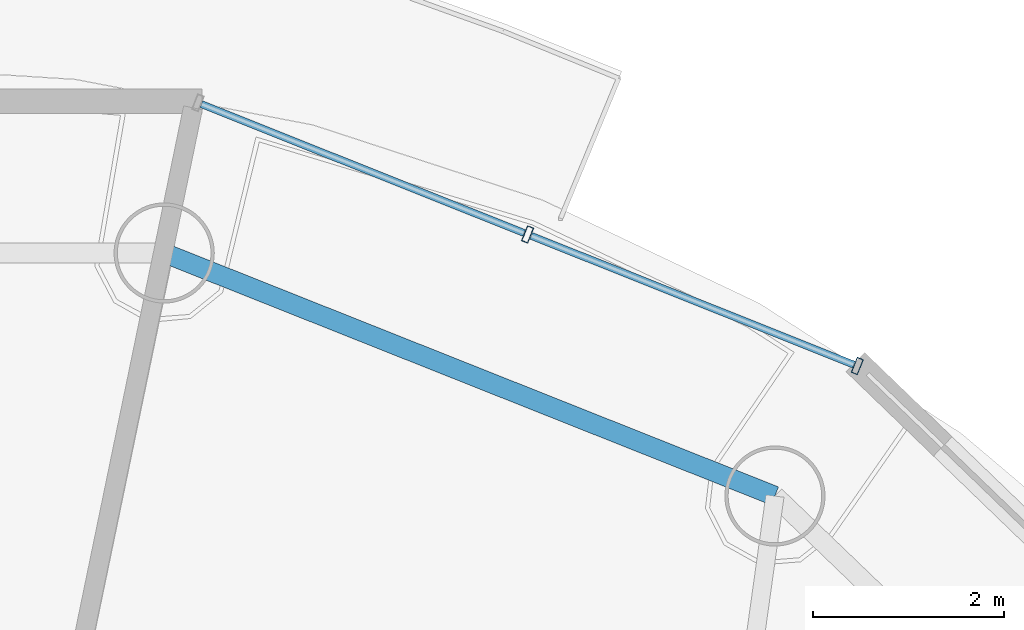
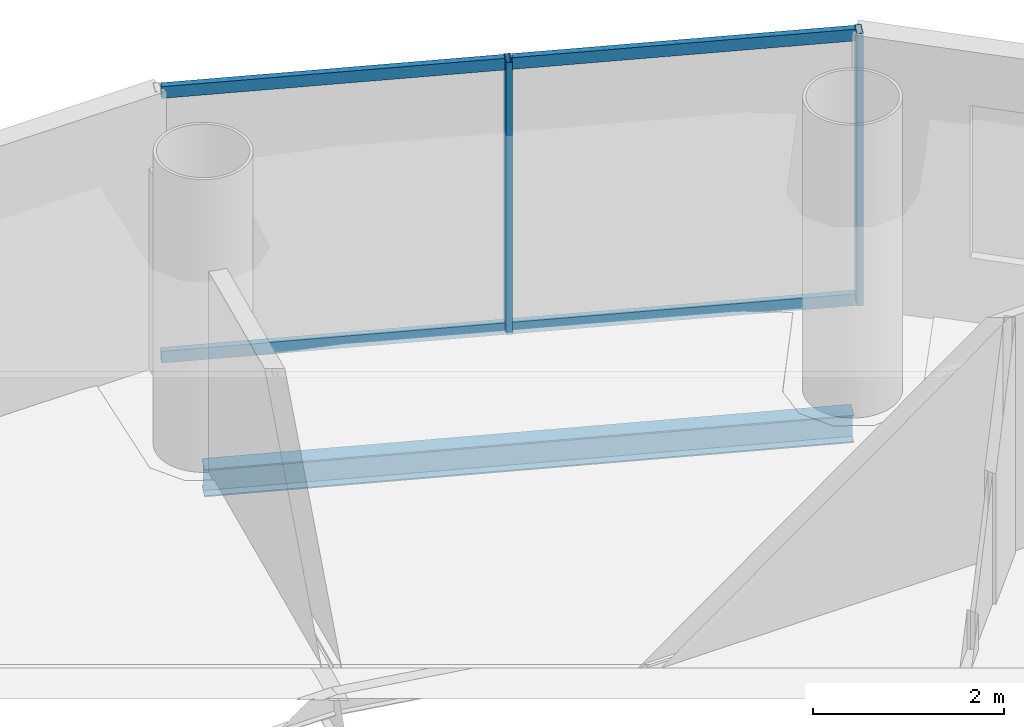
# One storey, part 12 of 21: 6 members, 1 beam, 1 element without a shape of its own.
"""IFC4 building model written with IfcOpenShell, lengths in metres."""

from ifc_helpers import new_model, si_unit, direction, frame, origin, origin_2d, place, context, subcontext, project, spatial, hollow_rectangle, i_section, extrude, source, transform, mapped, material, material_profile, profile_set, type_object, element, aggregate, save


model = new_model("IFC4")

# Units and contexts
model_context = context("Model", 3, precision=1e-05, world=origin(), true_north=direction((-0.2419218956, 0.970295726276)))
body_context = subcontext(model_context, "Body", "Model", "MODEL_VIEW")
ifc_project = project(units=[si_unit("LENGTHUNIT", "METRE"), si_unit("AREAUNIT", "SQUARE_METRE"), si_unit("VOLUMEUNIT", "CUBIC_METRE"), si_unit("PLANEANGLEUNIT", "RADIAN"), si_unit("MASSUNIT", "GRAM", prefix="KILO")], contexts=[model_context])

# Site, building, storey
site_placement = place(None, origin())
site = spatial("IfcSite", under=ifc_project, at=site_placement, CompositionType="ELEMENT")
building_placement = place(site_placement, origin())
building = spatial("IfcBuilding", under=site, at=building_placement, Name="Cobrevalo Terracotta Tower", CompositionType="ELEMENT")
storey_placement = place(building_placement, frame((0.0, 0.0, 281.949951171875)))
storey = spatial("IfcBuildingStorey", under=building, at=storey_placement, Name="L74", CompositionType="ELEMENT", Elevation=281.949951171875)

# Beam
ifc_material_1 = material(Name="Steel S355", Category="steel")
ifc_material_profile_1 = material_profile(ifc_material_1, i_section(OverallWidth=0.205078125, OverallDepth=0.35400390625, WebThickness=0.009521484375, FlangeThickness=0.016845703125, at=origin_2d()), Name="W 360x79")
ifc_profile_set_1 = profile_set([ifc_material_profile_1], Name="Steel S355")
beam_type = type_object("IfcBeamType", Name="Structural Spandrel W 360x79 (Steel S355)", PredefinedType="SPANDREL", material=ifc_profile_set_1)
beam_placement = place(storey_placement, frame((47.861328125, 40.9765625, -0.43701171875), z_axis=(-0.929149986048, 0.369702993533, 0.0), x_axis=(-0.369702993533, -0.929149986048, 0.0)))
element("IfcBeam", 1, at=beam_placement, inside=storey, type_object=beam_type, Name="L74 perimeter ring spandrel 03", PredefinedType="SPANDREL", context=body_context, shape_type="SweptSolid", body=[
    extrude(i_section(OverallWidth=0.205078125, OverallDepth=0.35400390625, WebThickness=0.009521484375, FlangeThickness=0.016845703125, at=origin_2d()), origin(), (0.0, 0.0, 1.0), 6.88623046875),
])

# Curtain wall, members
ifc_material_2 = material(Name="Anodized aluminium", Category="aluminium")
curtain_wall_type = type_object("IfcCurtainWallType", Name="Upper-tower triple-glazed penthouse curtain wall CW-U3", PredefinedType="NOTDEFINED", material=ifc_material_2)
curtain_wall_placement = place(storey_placement, origin())
curtain_wall = element("IfcCurtainWall", 2, at=curtain_wall_placement, inside=storey, type_object=curtain_wall_type, Name="L74 curtain wall CW-L74-S03", PredefinedType="NOTDEFINED")
ifc_material_profile_2 = material_profile(ifc_material_2, hollow_rectangle(XDim=0.070068359375, YDim=0.169921875, WallThickness=0.00439453125, at=origin_2d()), Name="CWM 70x170")
ifc_profile_set_2 = profile_set([ifc_material_profile_2], Name="Anodized aluminium")
member_type_1 = type_object("IfcMemberType", Name="Upper tower unitised mullion 70x170", PredefinedType="MULLION", material=ifc_profile_set_2)
shared_shape_1 = source(origin(), body_context, "Body", "SweptSolid", [
    extrude(hollow_rectangle(XDim=0.070068359375, YDim=0.169921875, WallThickness=0.00439453125, at=origin_2d()), origin(), (0.0, 0.0, 1.0), 3.489990234375),
])
member_1_placement = place(storey_placement, frame((48.724365234375, 42.33837890625, 0.0), z_axis=(0.0, 0.0, 1.0), x_axis=(-0.928718980883, 0.370784377433, 0.0)))
member_1 = element("IfcMember", 3, at=member_1_placement, type_object=member_type_1, Name="CW-L74-S03 vertical mullion 01", PredefinedType="MULLION", context=body_context, shape_type="MappedRepresentation", body=[
    mapped(shared_shape_1, transform((0.0, 0.0, 0.0), scale=1.0)),
])
member_2_placement = place(storey_placement, frame((45.270263671875, 43.71728515625, 0.0), z_axis=(0.0, 0.0, 1.0), x_axis=(-0.928718980883, 0.370784377433, 0.0)))
member_2 = element("IfcMember", 4, at=member_2_placement, type_object=member_type_1, Name="CW-L74-S03 vertical mullion 02", PredefinedType="MULLION", context=body_context, shape_type="MappedRepresentation", body=[
    mapped(shared_shape_1, transform((0.0, 0.0, 0.0), scale=1.0)),
])
ifc_material_profile_3 = material_profile(ifc_material_2, hollow_rectangle(XDim=0.074951171875, YDim=0.14990234375, WallThickness=0.00439453125, at=origin_2d()), Name="CWT 75x150")
ifc_profile_set_3 = profile_set([ifc_material_profile_3], Name="Anodized aluminium")
member_type_2 = type_object("IfcMemberType", Name="Tower unitised aluminium transom 75x150", PredefinedType="USERDEFINED", material=ifc_profile_set_3)
shared_shape_2 = source(origin(), body_context, "Body", "SweptSolid", [
    extrude(hollow_rectangle(XDim=0.074951171875, YDim=0.14990234375, WallThickness=0.00439453125, at=origin_2d()), origin(), (0.0, 0.0, 1.0), 3.63916015625),
])
member_3_placement = place(storey_placement, frame((48.68701171875, 42.353271484375, 0.050048828125), z_axis=(-0.928712471544, 0.370800681227, 0.0), x_axis=(-0.370800681227, -0.928712471544, 0.0)))
member_3 = element("IfcMember", 5, at=member_3_placement, type_object=member_type_2, Name="CW-L74-S03 transom B01-T1", ObjectType="TRANSOM", PredefinedType="USERDEFINED", context=body_context, shape_type="MappedRepresentation", body=[
    mapped(shared_shape_2, transform((0.0, 0.0, 0.0), scale=1.0)),
])
member_4_placement = place(storey_placement, frame((48.68701171875, 42.353271484375, 3.43994140625), z_axis=(-0.928712471544, 0.370800681227, 0.0), x_axis=(-0.370800681227, -0.928712471544, 0.0)))
member_4 = element("IfcMember", 6, at=member_4_placement, type_object=member_type_2, Name="CW-L74-S03 transom B01-T2", ObjectType="TRANSOM", PredefinedType="USERDEFINED", context=body_context, shape_type="MappedRepresentation", body=[
    mapped(shared_shape_2, transform((0.0, 0.0, 0.0), scale=1.0)),
])
member_5_placement = place(storey_placement, frame((45.23291015625, 43.732177734375, 0.050048828125), z_axis=(-0.928712471544, 0.370800681227, 0.0), x_axis=(-0.370800681227, -0.928712471544, 0.0)))
member_5 = element("IfcMember", 7, at=member_5_placement, type_object=member_type_2, Name="CW-L74-S03 transom B02-T1", ObjectType="TRANSOM", PredefinedType="USERDEFINED", context=body_context, shape_type="MappedRepresentation", body=[
    mapped(shared_shape_2, transform((0.0, 0.0, 0.0), scale=1.0)),
])
member_6_placement = place(storey_placement, frame((45.23291015625, 43.732177734375, 3.43994140625), z_axis=(-0.928712471544, 0.370800681227, 0.0), x_axis=(-0.370800681227, -0.928712471544, 0.0)))
member_6 = element("IfcMember", 8, at=member_6_placement, type_object=member_type_2, Name="CW-L74-S03 transom B02-T2", ObjectType="TRANSOM", PredefinedType="USERDEFINED", context=body_context, shape_type="MappedRepresentation", body=[
    mapped(shared_shape_2, transform((0.0, 0.0, 0.0), scale=1.0)),
])
aggregate(curtain_wall, [member_1, member_2, member_3, member_4, member_5, member_6])

save(model, "model.ifc")
